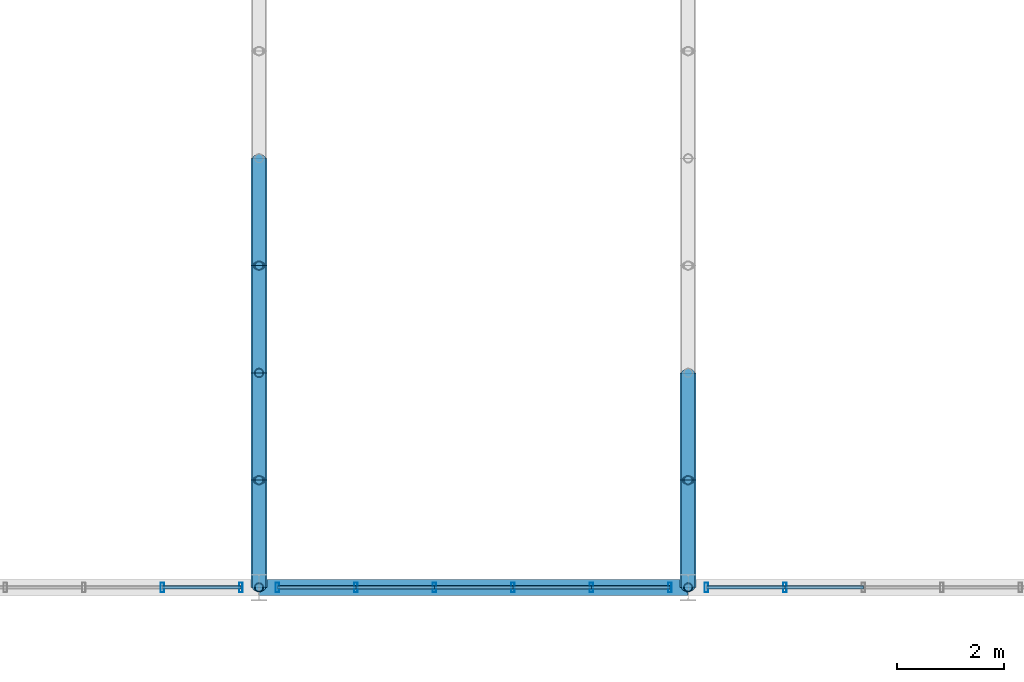
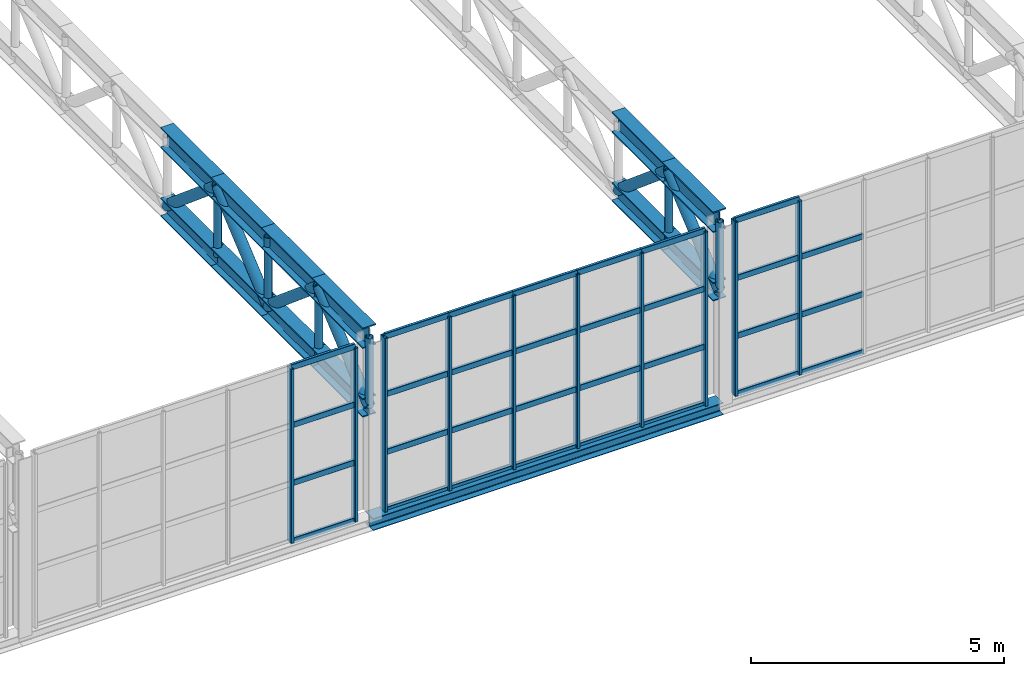
# One storey, part 40 of 143: 65 members, 1 beam, 3 elements without a shape of their own.
"""IFC4 building model written with IfcOpenShell, lengths in metres."""

from ifc_helpers import new_model, si_unit, derived_unit, direction, frame, origin, origin_2d, place, context, subcontext, project, spatial, hollow_rectangle, hollow_circle, i_section, extrude, material, material_profile, profile_set, type_object, element, aggregate, save


model = new_model("IFC4")

# Units and contexts
model_context = context("Model", 3, precision=1e-05, world=origin(), true_north=direction((0.0, 1.0)))
body_context = subcontext(model_context, "Body", "Model", "MODEL_VIEW")
ifc_project = project(units=[si_unit("LENGTHUNIT", "METRE"), si_unit("AREAUNIT", "SQUARE_METRE"), si_unit("VOLUMEUNIT", "CUBIC_METRE"), si_unit("PLANEANGLEUNIT", "RADIAN"), si_unit("MASSUNIT", "GRAM", prefix="KILO"), derived_unit("THERMALTRANSMITTANCEUNIT", [(si_unit("POWERUNIT", "WATT"), 1), (si_unit("LENGTHUNIT", "METRE"), -2), (si_unit("THERMODYNAMICTEMPERATUREUNIT", "KELVIN"), -1)])], contexts=[model_context])

# Site, building, storey
site_placement = place(None, origin())
site = spatial("IfcSite", under=ifc_project, at=site_placement, CompositionType="ELEMENT")
building_placement = place(site_placement, origin())
building = spatial("IfcBuilding", under=site, at=building_placement, Name="Keldorne Ridge Multi-Sports Centre", CompositionType="ELEMENT")
storey_placement = place(building_placement, frame((0.0, 0.0, 4.800048828125)))
storey = spatial("IfcBuildingStorey", under=building, at=storey_placement, Name="L01", CompositionType="ELEMENT", Elevation=4.800048828125)

# Beam
ifc_material_1 = material(Name="Steel S355", Category="steel")
ifc_material_profile_1 = material_profile(ifc_material_1, i_section(OverallWidth=0.300048828125, OverallDepth=0.2900390625, WebThickness=0.008544921875, FlangeThickness=0.013916015625, FilletRadius=0.027099609375, at=origin_2d()), Name="HEA 300")
ifc_profile_set_1 = profile_set([ifc_material_profile_1], Name="Steel S355")
beam_type = type_object("IfcBeamType", Name="BM-SP-04", PredefinedType="SPANDREL", material=ifc_profile_set_1)
beam_placement = place(storey_placement, frame((120.0, 6.0, -0.150146484375), z_axis=(1.0, 0.0, 0.0), x_axis=(0.0, 1.0, 0.0)))
element("IfcBeam", 1, at=beam_placement, inside=storey, type_object=beam_type, Name="Stacked Courts spandrel L01.6.3", PredefinedType="SPANDREL", context=body_context, shape_type="SweptSolid", body=[
    extrude(i_section(OverallWidth=0.300048828125, OverallDepth=0.2900390625, WebThickness=0.008544921875, FlangeThickness=0.013916015625, FilletRadius=0.027099609375, at=origin_2d()), origin(), (0.0, 0.0, 1.0), 8.0),
])

# Curtain wall, members
ifc_material_2 = material(Name="Anodized aluminium", Category="aluminium")
curtain_wall_type_1 = type_object("IfcCurtainWallType", Name="CW-CW-06", PredefinedType="NOTDEFINED", material=ifc_material_2)
curtain_wall_1_placement = place(storey_placement, origin())
curtain_wall_1 = element("IfcCurtainWall", 2, at=curtain_wall_1_placement, inside=storey, type_object=curtain_wall_type_1, Name="Lower Courts high clerestory 094", PredefinedType="NOTDEFINED")
ifc_material_profile_2 = material_profile(ifc_material_2, hollow_rectangle(XDim=0.06494140625, YDim=0.179931640625, WallThickness=0.00439453125, InnerFilletRadius=0.00439453125, OuterFilletRadius=0.009033203125, at=origin_2d()), Name="ALU MULLION 180x65x4.5")
ifc_profile_set_2 = profile_set([ifc_material_profile_2], Name="Anodized aluminium")
member_type_1 = type_object("IfcMemberType", Name="MEM-ML-01", PredefinedType="MULLION", material=ifc_profile_set_2)
member_1_placement = place(storey_placement, frame((118.196044921875, 6.0, 0.0), z_axis=(0.0, 0.0, 1.0), x_axis=(1.0, 0.0, 0.0)))
member_1 = element("IfcMember", 3, at=member_1_placement, type_object=member_type_1, Name="CW-094 vertical mullion 5", PredefinedType="MULLION", context=body_context, shape_type="SweptSolid", body=[
    extrude(hollow_rectangle(XDim=0.06494140625, YDim=0.179931640625, WallThickness=0.00439453125, InnerFilletRadius=0.00439453125, OuterFilletRadius=0.009033203125, at=origin_2d()), origin(), (0.0, 0.0, 1.0), 4.199951171875),
])
member_2_placement = place(storey_placement, frame((119.659912109375, 6.0, 0.0), z_axis=(0.0, 0.0, 1.0), x_axis=(1.0, 0.0, 0.0)))
member_2 = element("IfcMember", 4, at=member_2_placement, type_object=member_type_1, Name="CW-094 vertical mullion 6", PredefinedType="MULLION", context=body_context, shape_type="SweptSolid", body=[
    extrude(hollow_rectangle(XDim=0.06494140625, YDim=0.179931640625, WallThickness=0.00439453125, InnerFilletRadius=0.00439453125, OuterFilletRadius=0.009033203125, at=origin_2d()), origin(), (0.0, 0.0, 1.0), 4.199951171875),
])

curtain_wall_type_2 = type_object("IfcCurtainWallType", Name="CW-CW-04", PredefinedType="NOTDEFINED", material=ifc_material_2)
curtain_wall_2_placement = place(storey_placement, origin())
curtain_wall_2 = element("IfcCurtainWall", 5, at=curtain_wall_2_placement, inside=storey, type_object=curtain_wall_type_2, Name="Lower Courts high clerestory 100", PredefinedType="NOTDEFINED")
member_3_placement = place(storey_placement, frame((120.340087890625, 6.0, 0.0), z_axis=(0.0, 0.0, 1.0), x_axis=(1.0, 0.0, 0.0)))
member_3 = element("IfcMember", 6, at=member_3_placement, type_object=member_type_1, Name="CW-100 vertical mullion 1", PredefinedType="MULLION", context=body_context, shape_type="SweptSolid", body=[
    extrude(hollow_rectangle(XDim=0.06494140625, YDim=0.179931640625, WallThickness=0.00439453125, InnerFilletRadius=0.00439453125, OuterFilletRadius=0.009033203125, at=origin_2d()), origin(), (0.0, 0.0, 1.0), 4.199951171875),
])
member_4_placement = place(storey_placement, frame((121.803955078125, 6.0, 0.0), z_axis=(0.0, 0.0, 1.0), x_axis=(1.0, 0.0, 0.0)))
member_4 = element("IfcMember", 7, at=member_4_placement, type_object=member_type_1, Name="CW-100 vertical mullion 2", PredefinedType="MULLION", context=body_context, shape_type="SweptSolid", body=[
    extrude(hollow_rectangle(XDim=0.06494140625, YDim=0.179931640625, WallThickness=0.00439453125, InnerFilletRadius=0.00439453125, OuterFilletRadius=0.009033203125, at=origin_2d()), origin(), (0.0, 0.0, 1.0), 4.199951171875),
])
member_5_placement = place(storey_placement, frame((123.26806640625, 6.0, 0.0), z_axis=(0.0, 0.0, 1.0), x_axis=(1.0, 0.0, 0.0)))
member_5 = element("IfcMember", 8, at=member_5_placement, type_object=member_type_1, Name="CW-100 vertical mullion 3", PredefinedType="MULLION", context=body_context, shape_type="SweptSolid", body=[
    extrude(hollow_rectangle(XDim=0.06494140625, YDim=0.179931640625, WallThickness=0.00439453125, InnerFilletRadius=0.00439453125, OuterFilletRadius=0.009033203125, at=origin_2d()), origin(), (0.0, 0.0, 1.0), 4.199951171875),
])
member_6_placement = place(storey_placement, frame((124.73193359375, 6.0, 0.0), z_axis=(0.0, 0.0, 1.0), x_axis=(1.0, 0.0, 0.0)))
member_6 = element("IfcMember", 9, at=member_6_placement, type_object=member_type_1, Name="CW-100 vertical mullion 4", PredefinedType="MULLION", context=body_context, shape_type="SweptSolid", body=[
    extrude(hollow_rectangle(XDim=0.06494140625, YDim=0.179931640625, WallThickness=0.00439453125, InnerFilletRadius=0.00439453125, OuterFilletRadius=0.009033203125, at=origin_2d()), origin(), (0.0, 0.0, 1.0), 4.199951171875),
])
member_7_placement = place(storey_placement, frame((126.196044921875, 6.0, 0.0), z_axis=(0.0, 0.0, 1.0), x_axis=(1.0, 0.0, 0.0)))
member_7 = element("IfcMember", 10, at=member_7_placement, type_object=member_type_1, Name="CW-100 vertical mullion 5", PredefinedType="MULLION", context=body_context, shape_type="SweptSolid", body=[
    extrude(hollow_rectangle(XDim=0.06494140625, YDim=0.179931640625, WallThickness=0.00439453125, InnerFilletRadius=0.00439453125, OuterFilletRadius=0.009033203125, at=origin_2d()), origin(), (0.0, 0.0, 1.0), 4.199951171875),
])
member_8_placement = place(storey_placement, frame((127.659912109375, 6.0, 0.0), z_axis=(0.0, 0.0, 1.0), x_axis=(1.0, 0.0, 0.0)))
member_8 = element("IfcMember", 11, at=member_8_placement, type_object=member_type_1, Name="CW-100 vertical mullion 6", PredefinedType="MULLION", context=body_context, shape_type="SweptSolid", body=[
    extrude(hollow_rectangle(XDim=0.06494140625, YDim=0.179931640625, WallThickness=0.00439453125, InnerFilletRadius=0.00439453125, OuterFilletRadius=0.009033203125, at=origin_2d()), origin(), (0.0, 0.0, 1.0), 4.199951171875),
])

curtain_wall_type_3 = type_object("IfcCurtainWallType", Name="CW-CW-02", PredefinedType="NOTDEFINED", material=ifc_material_2)
curtain_wall_3_placement = place(storey_placement, origin())
curtain_wall_3 = element("IfcCurtainWall", 12, at=curtain_wall_3_placement, inside=storey, type_object=curtain_wall_type_3, Name="Lower Courts high clerestory 106", PredefinedType="NOTDEFINED")
member_9_placement = place(storey_placement, frame((128.340087890625, 6.0, 0.0), z_axis=(0.0, 0.0, 1.0), x_axis=(1.0, 0.0, 0.0)))
member_9 = element("IfcMember", 13, at=member_9_placement, type_object=member_type_1, Name="CW-106 vertical mullion 1", PredefinedType="MULLION", context=body_context, shape_type="SweptSolid", body=[
    extrude(hollow_rectangle(XDim=0.06494140625, YDim=0.179931640625, WallThickness=0.00439453125, InnerFilletRadius=0.00439453125, OuterFilletRadius=0.009033203125, at=origin_2d()), origin(), (0.0, 0.0, 1.0), 4.199951171875),
])
member_10_placement = place(storey_placement, frame((129.803955078125, 6.0, 0.0), z_axis=(0.0, 0.0, 1.0), x_axis=(1.0, 0.0, 0.0)))
member_10 = element("IfcMember", 14, at=member_10_placement, type_object=member_type_1, Name="CW-106 vertical mullion 2", PredefinedType="MULLION", context=body_context, shape_type="SweptSolid", body=[
    extrude(hollow_rectangle(XDim=0.06494140625, YDim=0.179931640625, WallThickness=0.00439453125, InnerFilletRadius=0.00439453125, OuterFilletRadius=0.009033203125, at=origin_2d()), origin(), (0.0, 0.0, 1.0), 4.199951171875),
])

# Members
ifc_material_profile_3 = material_profile(ifc_material_1, i_section(OverallWidth=0.300048828125, OverallDepth=0.5, WebThickness=0.014404296875, FlangeThickness=0.028076171875, FilletRadius=0.027099609375, at=origin_2d()), Name="HEB 500")
ifc_profile_set_3 = profile_set([ifc_material_profile_3], Name="Steel S355")
member_type_2 = type_object("IfcMemberType", Name="MEM-TC-03", PredefinedType="CHORD", material=ifc_profile_set_3)
for number, where, z_axis, x_axis, name in (
    (15, (120.0, 6.0, 4.31005859375), (0.0, 1.0, 0.0), (-1.0, 0.0, 0.0), "Stacked Courts Warren TRUSS WT-L02-03 top chord 1"),
    (16, (120.0, 8.0, 4.31005859375), (0.0, 1.0, 0.0), (-1.0, 0.0, 0.0), "Stacked Courts Warren TRUSS WT-L02-03 top chord 2"),
    (17, (120.0, 10.0, 4.31005859375), (0.0, 1.0, 0.0), (-1.0, 0.0, 0.0), "Stacked Courts Warren TRUSS WT-L02-03 top chord 3"),
    (18, (120.0, 12.0, 4.31005859375), (0.0, 1.0, 0.0), (-1.0, 0.0, 0.0), "Stacked Courts Warren TRUSS WT-L02-03 top chord 4"),
    (19, (128.0, 6.0, 4.31005859375), (0.0, 1.0, 0.0), (-1.0, 0.0, 0.0), "Stacked Courts Warren TRUSS WT-L02-04 top chord 1"),
    (20, (128.0, 8.0, 4.31005859375), (0.0, 1.0, 0.0), (-1.0, 0.0, 0.0), "Stacked Courts Warren TRUSS WT-L02-04 top chord 2"),
):
    element("IfcMember", number, at=place(storey_placement, frame(where, z_axis=z_axis, x_axis=x_axis)), inside=storey, type_object=member_type_2, Name=name, PredefinedType="CHORD", context=body_context, shape_type="SweptSolid", body=[
        extrude(i_section(OverallWidth=0.300048828125, OverallDepth=0.5, WebThickness=0.014404296875, FlangeThickness=0.028076171875, FilletRadius=0.027099609375, at=origin_2d()), origin(), (0.0, 0.0, 1.0), 2.0),
    ])
ifc_material_profile_4 = material_profile(ifc_material_1, i_section(OverallWidth=0.300048828125, OverallDepth=0.449951171875, WebThickness=0.013916015625, FlangeThickness=0.02587890625, FilletRadius=0.027099609375, at=origin_2d()), Name="HEB 450")
ifc_profile_set_4 = profile_set([ifc_material_profile_4], Name="Steel S355")
member_type_3 = type_object("IfcMemberType", Name="MEM-TC-04", PredefinedType="CHORD", material=ifc_profile_set_4)
for number, where, z_axis, x_axis, name in (
    (21, (120.0, 6.0, 2.6298828125), (0.0, 1.0, 0.0), (-1.0, 0.0, 0.0), "Stacked Courts Warren TRUSS WT-L02-03 bottom chord 1"),
    (22, (120.0, 8.0, 2.6298828125), (0.0, 1.0, 0.0), (-1.0, 0.0, 0.0), "Stacked Courts Warren TRUSS WT-L02-03 bottom chord 2"),
    (23, (120.0, 10.0, 2.6298828125), (0.0, 1.0, 0.0), (-1.0, 0.0, 0.0), "Stacked Courts Warren TRUSS WT-L02-03 bottom chord 3"),
    (24, (120.0, 12.0, 2.6298828125), (0.0, 1.0, 0.0), (-1.0, 0.0, 0.0), "Stacked Courts Warren TRUSS WT-L02-03 bottom chord 4"),
    (25, (128.0, 6.0, 2.6298828125), (0.0, 1.0, 0.0), (-1.0, 0.0, 0.0), "Stacked Courts Warren TRUSS WT-L02-04 bottom chord 1"),
    (26, (128.0, 8.0, 2.6298828125), (0.0, 1.0, 0.0), (-1.0, 0.0, 0.0), "Stacked Courts Warren TRUSS WT-L02-04 bottom chord 2"),
):
    element("IfcMember", number, at=place(storey_placement, frame(where, z_axis=z_axis, x_axis=x_axis)), inside=storey, type_object=member_type_3, Name=name, PredefinedType="CHORD", context=body_context, shape_type="SweptSolid", body=[
        extrude(i_section(OverallWidth=0.300048828125, OverallDepth=0.449951171875, WebThickness=0.013916015625, FlangeThickness=0.02587890625, FilletRadius=0.027099609375, at=origin_2d()), origin(), (0.0, 0.0, 1.0), 2.0),
    ])
ifc_material_profile_5 = material_profile(ifc_material_1, hollow_circle(Radius=0.122314453125, WallThickness=0.012451171875, at=origin_2d()), Name="CHS 244.5x12.5")
ifc_profile_set_5 = profile_set([ifc_material_profile_5], Name="Steel S355")
member_type_4 = type_object("IfcMemberType", Name="MEM-TD-02", PredefinedType="BRACE", material=ifc_profile_set_5)
for number, where, z_axis, x_axis, name in (
    (27, (120.0, 6.0, 2.6298828125), (0.0, 0.765671721121, 0.643231541108), (-1.0, 0.0, 0.0), "Stacked Courts Warren TRUSS WT-L02-03 diagonal 1"),
    (28, (120.0, 8.0, 4.31005859375), (0.0, 0.765671721121, -0.643231541108), (-1.0, 0.0, 0.0), "Stacked Courts Warren TRUSS WT-L02-03 diagonal 2"),
    (29, (120.0, 10.0, 2.6298828125), (0.0, 0.765671721121, 0.643231541108), (-1.0, 0.0, 0.0), "Stacked Courts Warren TRUSS WT-L02-03 diagonal 3"),
    (30, (120.0, 12.0, 4.31005859375), (0.0, 0.765671721121, -0.643231541108), (-1.0, 0.0, 0.0), "Stacked Courts Warren TRUSS WT-L02-03 diagonal 4"),
    (31, (128.0, 6.0, 2.6298828125), (0.0, 0.765671721121, 0.643231541108), (-1.0, 0.0, 0.0), "Stacked Courts Warren TRUSS WT-L02-04 diagonal 1"),
    (32, (128.0, 8.0, 4.31005859375), (0.0, 0.765671721121, -0.643231541108), (-1.0, 0.0, 0.0), "Stacked Courts Warren TRUSS WT-L02-04 diagonal 2"),
):
    element("IfcMember", number, at=place(storey_placement, frame(where, z_axis=z_axis, x_axis=x_axis)), inside=storey, type_object=member_type_4, Name=name, PredefinedType="BRACE", context=body_context, shape_type="SweptSolid", body=[
        extrude(hollow_circle(Radius=0.122314453125, WallThickness=0.012451171875, at=origin_2d()), origin(), (0.0, 0.0, 1.0), 2.612060546875),
    ])

# Member
ifc_material_profile_6 = material_profile(ifc_material_2, hollow_rectangle(XDim=0.06494140625, YDim=0.139892578125, WallThickness=0.00439453125, InnerFilletRadius=0.00439453125, OuterFilletRadius=0.009033203125, at=origin_2d()), Name="ALU TRANSOM 140x65x4.5")
ifc_profile_set_6 = profile_set([ifc_material_profile_6], Name="Anodized aluminium")
member_type_5 = type_object("IfcMemberType", Name="MEM-TR-01", PredefinedType="USERDEFINED", material=ifc_profile_set_6)
member_11_placement = place(storey_placement, frame((118.196044921875, 6.0, 0.0), z_axis=(1.0, 0.0, 0.0), x_axis=(0.0, 1.0, 0.0)))
member_11 = element("IfcMember", 33, at=member_11_placement, type_object=member_type_5, Name="CW-094 transom 5.1", ObjectType="TRANSOM", PredefinedType="USERDEFINED", context=body_context, shape_type="SweptSolid", body=[
    extrude(hollow_rectangle(XDim=0.06494140625, YDim=0.139892578125, WallThickness=0.00439453125, InnerFilletRadius=0.00439453125, OuterFilletRadius=0.009033203125, at=origin_2d()), origin(), (0.0, 0.0, 1.0), 1.4638671875),
])

member_12_placement = place(storey_placement, frame((118.196044921875, 6.0, 1.39990234375), z_axis=(1.0, 0.0, 0.0), x_axis=(0.0, 1.0, 0.0)))
member_12 = element("IfcMember", 34, at=member_12_placement, type_object=member_type_5, Name="CW-094 transom 5.2", ObjectType="TRANSOM", PredefinedType="USERDEFINED", context=body_context, shape_type="SweptSolid", body=[
    extrude(hollow_rectangle(XDim=0.06494140625, YDim=0.139892578125, WallThickness=0.00439453125, InnerFilletRadius=0.00439453125, OuterFilletRadius=0.009033203125, at=origin_2d()), origin(), (0.0, 0.0, 1.0), 1.4638671875),
])

member_13_placement = place(storey_placement, frame((118.196044921875, 6.0, 2.800048828125), z_axis=(1.0, 0.0, 0.0), x_axis=(0.0, 1.0, 0.0)))
member_13 = element("IfcMember", 35, at=member_13_placement, type_object=member_type_5, Name="CW-094 transom 5.3", ObjectType="TRANSOM", PredefinedType="USERDEFINED", context=body_context, shape_type="SweptSolid", body=[
    extrude(hollow_rectangle(XDim=0.06494140625, YDim=0.139892578125, WallThickness=0.00439453125, InnerFilletRadius=0.00439453125, OuterFilletRadius=0.009033203125, at=origin_2d()), origin(), (0.0, 0.0, 1.0), 1.4638671875),
])

member_14_placement = place(storey_placement, frame((118.196044921875, 6.0, 4.199951171875), z_axis=(1.0, 0.0, 0.0), x_axis=(0.0, 1.0, 0.0)))
member_14 = element("IfcMember", 36, at=member_14_placement, type_object=member_type_5, Name="CW-094 transom 5.4", ObjectType="TRANSOM", PredefinedType="USERDEFINED", context=body_context, shape_type="SweptSolid", body=[
    extrude(hollow_rectangle(XDim=0.06494140625, YDim=0.139892578125, WallThickness=0.00439453125, InnerFilletRadius=0.00439453125, OuterFilletRadius=0.009033203125, at=origin_2d()), origin(), (0.0, 0.0, 1.0), 1.4638671875),
])

aggregate(curtain_wall_1, [member_1, member_2, member_11, member_12, member_13, member_14])

member_15_placement = place(storey_placement, frame((120.340087890625, 6.0, 0.0), z_axis=(1.0, 0.0, 0.0), x_axis=(0.0, 1.0, 0.0)))
member_15 = element("IfcMember", 37, at=member_15_placement, type_object=member_type_5, Name="CW-100 transom 1.1", ObjectType="TRANSOM", PredefinedType="USERDEFINED", context=body_context, shape_type="SweptSolid", body=[
    extrude(hollow_rectangle(XDim=0.06494140625, YDim=0.139892578125, WallThickness=0.00439453125, InnerFilletRadius=0.00439453125, OuterFilletRadius=0.009033203125, at=origin_2d()), origin(), (0.0, 0.0, 1.0), 1.4638671875),
])

member_16_placement = place(storey_placement, frame((120.340087890625, 6.0, 1.39990234375), z_axis=(1.0, 0.0, 0.0), x_axis=(0.0, 1.0, 0.0)))
member_16 = element("IfcMember", 38, at=member_16_placement, type_object=member_type_5, Name="CW-100 transom 1.2", ObjectType="TRANSOM", PredefinedType="USERDEFINED", context=body_context, shape_type="SweptSolid", body=[
    extrude(hollow_rectangle(XDim=0.06494140625, YDim=0.139892578125, WallThickness=0.00439453125, InnerFilletRadius=0.00439453125, OuterFilletRadius=0.009033203125, at=origin_2d()), origin(), (0.0, 0.0, 1.0), 1.4638671875),
])

member_17_placement = place(storey_placement, frame((120.340087890625, 6.0, 2.800048828125), z_axis=(1.0, 0.0, 0.0), x_axis=(0.0, 1.0, 0.0)))
member_17 = element("IfcMember", 39, at=member_17_placement, type_object=member_type_5, Name="CW-100 transom 1.3", ObjectType="TRANSOM", PredefinedType="USERDEFINED", context=body_context, shape_type="SweptSolid", body=[
    extrude(hollow_rectangle(XDim=0.06494140625, YDim=0.139892578125, WallThickness=0.00439453125, InnerFilletRadius=0.00439453125, OuterFilletRadius=0.009033203125, at=origin_2d()), origin(), (0.0, 0.0, 1.0), 1.4638671875),
])

member_18_placement = place(storey_placement, frame((120.340087890625, 6.0, 4.199951171875), z_axis=(1.0, 0.0, 0.0), x_axis=(0.0, 1.0, 0.0)))
member_18 = element("IfcMember", 40, at=member_18_placement, type_object=member_type_5, Name="CW-100 transom 1.4", ObjectType="TRANSOM", PredefinedType="USERDEFINED", context=body_context, shape_type="SweptSolid", body=[
    extrude(hollow_rectangle(XDim=0.06494140625, YDim=0.139892578125, WallThickness=0.00439453125, InnerFilletRadius=0.00439453125, OuterFilletRadius=0.009033203125, at=origin_2d()), origin(), (0.0, 0.0, 1.0), 1.4638671875),
])

member_19_placement = place(storey_placement, frame((121.803955078125, 6.0, 0.0), z_axis=(1.0, 0.0, 0.0), x_axis=(0.0, 1.0, 0.0)))
member_19 = element("IfcMember", 41, at=member_19_placement, type_object=member_type_5, Name="CW-100 transom 2.1", ObjectType="TRANSOM", PredefinedType="USERDEFINED", context=body_context, shape_type="SweptSolid", body=[
    extrude(hollow_rectangle(XDim=0.06494140625, YDim=0.139892578125, WallThickness=0.00439453125, InnerFilletRadius=0.00439453125, OuterFilletRadius=0.009033203125, at=origin_2d()), origin(), (0.0, 0.0, 1.0), 1.464111328125),
])

member_20_placement = place(storey_placement, frame((121.803955078125, 6.0, 1.39990234375), z_axis=(1.0, 0.0, 0.0), x_axis=(0.0, 1.0, 0.0)))
member_20 = element("IfcMember", 42, at=member_20_placement, type_object=member_type_5, Name="CW-100 transom 2.2", ObjectType="TRANSOM", PredefinedType="USERDEFINED", context=body_context, shape_type="SweptSolid", body=[
    extrude(hollow_rectangle(XDim=0.06494140625, YDim=0.139892578125, WallThickness=0.00439453125, InnerFilletRadius=0.00439453125, OuterFilletRadius=0.009033203125, at=origin_2d()), origin(), (0.0, 0.0, 1.0), 1.464111328125),
])

member_21_placement = place(storey_placement, frame((121.803955078125, 6.0, 2.800048828125), z_axis=(1.0, 0.0, 0.0), x_axis=(0.0, 1.0, 0.0)))
member_21 = element("IfcMember", 43, at=member_21_placement, type_object=member_type_5, Name="CW-100 transom 2.3", ObjectType="TRANSOM", PredefinedType="USERDEFINED", context=body_context, shape_type="SweptSolid", body=[
    extrude(hollow_rectangle(XDim=0.06494140625, YDim=0.139892578125, WallThickness=0.00439453125, InnerFilletRadius=0.00439453125, OuterFilletRadius=0.009033203125, at=origin_2d()), origin(), (0.0, 0.0, 1.0), 1.464111328125),
])

member_22_placement = place(storey_placement, frame((121.803955078125, 6.0, 4.199951171875), z_axis=(1.0, 0.0, 0.0), x_axis=(0.0, 1.0, 0.0)))
member_22 = element("IfcMember", 44, at=member_22_placement, type_object=member_type_5, Name="CW-100 transom 2.4", ObjectType="TRANSOM", PredefinedType="USERDEFINED", context=body_context, shape_type="SweptSolid", body=[
    extrude(hollow_rectangle(XDim=0.06494140625, YDim=0.139892578125, WallThickness=0.00439453125, InnerFilletRadius=0.00439453125, OuterFilletRadius=0.009033203125, at=origin_2d()), origin(), (0.0, 0.0, 1.0), 1.464111328125),
])

member_23_placement = place(storey_placement, frame((123.26806640625, 6.0, 0.0), z_axis=(1.0, 0.0, 0.0), x_axis=(0.0, 1.0, 0.0)))
member_23 = element("IfcMember", 45, at=member_23_placement, type_object=member_type_5, Name="CW-100 transom 3.1", ObjectType="TRANSOM", PredefinedType="USERDEFINED", context=body_context, shape_type="SweptSolid", body=[
    extrude(hollow_rectangle(XDim=0.06494140625, YDim=0.139892578125, WallThickness=0.00439453125, InnerFilletRadius=0.00439453125, OuterFilletRadius=0.009033203125, at=origin_2d()), origin(), (0.0, 0.0, 1.0), 1.4638671875),
])

member_24_placement = place(storey_placement, frame((123.26806640625, 6.0, 1.39990234375), z_axis=(1.0, 0.0, 0.0), x_axis=(0.0, 1.0, 0.0)))
member_24 = element("IfcMember", 46, at=member_24_placement, type_object=member_type_5, Name="CW-100 transom 3.2", ObjectType="TRANSOM", PredefinedType="USERDEFINED", context=body_context, shape_type="SweptSolid", body=[
    extrude(hollow_rectangle(XDim=0.06494140625, YDim=0.139892578125, WallThickness=0.00439453125, InnerFilletRadius=0.00439453125, OuterFilletRadius=0.009033203125, at=origin_2d()), origin(), (0.0, 0.0, 1.0), 1.4638671875),
])

member_25_placement = place(storey_placement, frame((123.26806640625, 6.0, 2.800048828125), z_axis=(1.0, 0.0, 0.0), x_axis=(0.0, 1.0, 0.0)))
member_25 = element("IfcMember", 47, at=member_25_placement, type_object=member_type_5, Name="CW-100 transom 3.3", ObjectType="TRANSOM", PredefinedType="USERDEFINED", context=body_context, shape_type="SweptSolid", body=[
    extrude(hollow_rectangle(XDim=0.06494140625, YDim=0.139892578125, WallThickness=0.00439453125, InnerFilletRadius=0.00439453125, OuterFilletRadius=0.009033203125, at=origin_2d()), origin(), (0.0, 0.0, 1.0), 1.4638671875),
])

member_26_placement = place(storey_placement, frame((123.26806640625, 6.0, 4.199951171875), z_axis=(1.0, 0.0, 0.0), x_axis=(0.0, 1.0, 0.0)))
member_26 = element("IfcMember", 48, at=member_26_placement, type_object=member_type_5, Name="CW-100 transom 3.4", ObjectType="TRANSOM", PredefinedType="USERDEFINED", context=body_context, shape_type="SweptSolid", body=[
    extrude(hollow_rectangle(XDim=0.06494140625, YDim=0.139892578125, WallThickness=0.00439453125, InnerFilletRadius=0.00439453125, OuterFilletRadius=0.009033203125, at=origin_2d()), origin(), (0.0, 0.0, 1.0), 1.4638671875),
])

member_27_placement = place(storey_placement, frame((124.73193359375, 6.0, 0.0), z_axis=(1.0, 0.0, 0.0), x_axis=(0.0, 1.0, 0.0)))
member_27 = element("IfcMember", 49, at=member_27_placement, type_object=member_type_5, Name="CW-100 transom 4.1", ObjectType="TRANSOM", PredefinedType="USERDEFINED", context=body_context, shape_type="SweptSolid", body=[
    extrude(hollow_rectangle(XDim=0.06494140625, YDim=0.139892578125, WallThickness=0.00439453125, InnerFilletRadius=0.00439453125, OuterFilletRadius=0.009033203125, at=origin_2d()), origin(), (0.0, 0.0, 1.0), 1.464111328125),
])

member_28_placement = place(storey_placement, frame((124.73193359375, 6.0, 1.39990234375), z_axis=(1.0, 0.0, 0.0), x_axis=(0.0, 1.0, 0.0)))
member_28 = element("IfcMember", 50, at=member_28_placement, type_object=member_type_5, Name="CW-100 transom 4.2", ObjectType="TRANSOM", PredefinedType="USERDEFINED", context=body_context, shape_type="SweptSolid", body=[
    extrude(hollow_rectangle(XDim=0.06494140625, YDim=0.139892578125, WallThickness=0.00439453125, InnerFilletRadius=0.00439453125, OuterFilletRadius=0.009033203125, at=origin_2d()), origin(), (0.0, 0.0, 1.0), 1.464111328125),
])

member_29_placement = place(storey_placement, frame((124.73193359375, 6.0, 2.800048828125), z_axis=(1.0, 0.0, 0.0), x_axis=(0.0, 1.0, 0.0)))
member_29 = element("IfcMember", 51, at=member_29_placement, type_object=member_type_5, Name="CW-100 transom 4.3", ObjectType="TRANSOM", PredefinedType="USERDEFINED", context=body_context, shape_type="SweptSolid", body=[
    extrude(hollow_rectangle(XDim=0.06494140625, YDim=0.139892578125, WallThickness=0.00439453125, InnerFilletRadius=0.00439453125, OuterFilletRadius=0.009033203125, at=origin_2d()), origin(), (0.0, 0.0, 1.0), 1.464111328125),
])

member_30_placement = place(storey_placement, frame((124.73193359375, 6.0, 4.199951171875), z_axis=(1.0, 0.0, 0.0), x_axis=(0.0, 1.0, 0.0)))
member_30 = element("IfcMember", 52, at=member_30_placement, type_object=member_type_5, Name="CW-100 transom 4.4", ObjectType="TRANSOM", PredefinedType="USERDEFINED", context=body_context, shape_type="SweptSolid", body=[
    extrude(hollow_rectangle(XDim=0.06494140625, YDim=0.139892578125, WallThickness=0.00439453125, InnerFilletRadius=0.00439453125, OuterFilletRadius=0.009033203125, at=origin_2d()), origin(), (0.0, 0.0, 1.0), 1.464111328125),
])

member_31_placement = place(storey_placement, frame((126.196044921875, 6.0, 0.0), z_axis=(1.0, 0.0, 0.0), x_axis=(0.0, 1.0, 0.0)))
member_31 = element("IfcMember", 53, at=member_31_placement, type_object=member_type_5, Name="CW-100 transom 5.1", ObjectType="TRANSOM", PredefinedType="USERDEFINED", context=body_context, shape_type="SweptSolid", body=[
    extrude(hollow_rectangle(XDim=0.06494140625, YDim=0.139892578125, WallThickness=0.00439453125, InnerFilletRadius=0.00439453125, OuterFilletRadius=0.009033203125, at=origin_2d()), origin(), (0.0, 0.0, 1.0), 1.4638671875),
])

member_32_placement = place(storey_placement, frame((126.196044921875, 6.0, 1.39990234375), z_axis=(1.0, 0.0, 0.0), x_axis=(0.0, 1.0, 0.0)))
member_32 = element("IfcMember", 54, at=member_32_placement, type_object=member_type_5, Name="CW-100 transom 5.2", ObjectType="TRANSOM", PredefinedType="USERDEFINED", context=body_context, shape_type="SweptSolid", body=[
    extrude(hollow_rectangle(XDim=0.06494140625, YDim=0.139892578125, WallThickness=0.00439453125, InnerFilletRadius=0.00439453125, OuterFilletRadius=0.009033203125, at=origin_2d()), origin(), (0.0, 0.0, 1.0), 1.4638671875),
])

member_33_placement = place(storey_placement, frame((126.196044921875, 6.0, 2.800048828125), z_axis=(1.0, 0.0, 0.0), x_axis=(0.0, 1.0, 0.0)))
member_33 = element("IfcMember", 55, at=member_33_placement, type_object=member_type_5, Name="CW-100 transom 5.3", ObjectType="TRANSOM", PredefinedType="USERDEFINED", context=body_context, shape_type="SweptSolid", body=[
    extrude(hollow_rectangle(XDim=0.06494140625, YDim=0.139892578125, WallThickness=0.00439453125, InnerFilletRadius=0.00439453125, OuterFilletRadius=0.009033203125, at=origin_2d()), origin(), (0.0, 0.0, 1.0), 1.4638671875),
])

member_34_placement = place(storey_placement, frame((126.196044921875, 6.0, 4.199951171875), z_axis=(1.0, 0.0, 0.0), x_axis=(0.0, 1.0, 0.0)))
member_34 = element("IfcMember", 56, at=member_34_placement, type_object=member_type_5, Name="CW-100 transom 5.4", ObjectType="TRANSOM", PredefinedType="USERDEFINED", context=body_context, shape_type="SweptSolid", body=[
    extrude(hollow_rectangle(XDim=0.06494140625, YDim=0.139892578125, WallThickness=0.00439453125, InnerFilletRadius=0.00439453125, OuterFilletRadius=0.009033203125, at=origin_2d()), origin(), (0.0, 0.0, 1.0), 1.4638671875),
])

aggregate(curtain_wall_2, [member_3, member_4, member_5, member_6, member_7, member_8, member_15, member_16, member_17, member_18, member_19, member_20, member_21, member_22, member_23, member_24, member_25, member_26, member_27, member_28, member_29, member_30, member_31, member_32, member_33, member_34])

member_35_placement = place(storey_placement, frame((128.340087890625, 6.0, 0.0), z_axis=(1.0, 0.0, 0.0), x_axis=(0.0, 1.0, 0.0)))
member_35 = element("IfcMember", 57, at=member_35_placement, type_object=member_type_5, Name="CW-106 transom 1.1", ObjectType="TRANSOM", PredefinedType="USERDEFINED", context=body_context, shape_type="SweptSolid", body=[
    extrude(hollow_rectangle(XDim=0.06494140625, YDim=0.139892578125, WallThickness=0.00439453125, InnerFilletRadius=0.00439453125, OuterFilletRadius=0.009033203125, at=origin_2d()), origin(), (0.0, 0.0, 1.0), 1.4638671875),
])

member_36_placement = place(storey_placement, frame((128.340087890625, 6.0, 1.39990234375), z_axis=(1.0, 0.0, 0.0), x_axis=(0.0, 1.0, 0.0)))
member_36 = element("IfcMember", 58, at=member_36_placement, type_object=member_type_5, Name="CW-106 transom 1.2", ObjectType="TRANSOM", PredefinedType="USERDEFINED", context=body_context, shape_type="SweptSolid", body=[
    extrude(hollow_rectangle(XDim=0.06494140625, YDim=0.139892578125, WallThickness=0.00439453125, InnerFilletRadius=0.00439453125, OuterFilletRadius=0.009033203125, at=origin_2d()), origin(), (0.0, 0.0, 1.0), 1.4638671875),
])

member_37_placement = place(storey_placement, frame((128.340087890625, 6.0, 2.800048828125), z_axis=(1.0, 0.0, 0.0), x_axis=(0.0, 1.0, 0.0)))
member_37 = element("IfcMember", 59, at=member_37_placement, type_object=member_type_5, Name="CW-106 transom 1.3", ObjectType="TRANSOM", PredefinedType="USERDEFINED", context=body_context, shape_type="SweptSolid", body=[
    extrude(hollow_rectangle(XDim=0.06494140625, YDim=0.139892578125, WallThickness=0.00439453125, InnerFilletRadius=0.00439453125, OuterFilletRadius=0.009033203125, at=origin_2d()), origin(), (0.0, 0.0, 1.0), 1.4638671875),
])

member_38_placement = place(storey_placement, frame((128.340087890625, 6.0, 4.199951171875), z_axis=(1.0, 0.0, 0.0), x_axis=(0.0, 1.0, 0.0)))
member_38 = element("IfcMember", 60, at=member_38_placement, type_object=member_type_5, Name="CW-106 transom 1.4", ObjectType="TRANSOM", PredefinedType="USERDEFINED", context=body_context, shape_type="SweptSolid", body=[
    extrude(hollow_rectangle(XDim=0.06494140625, YDim=0.139892578125, WallThickness=0.00439453125, InnerFilletRadius=0.00439453125, OuterFilletRadius=0.009033203125, at=origin_2d()), origin(), (0.0, 0.0, 1.0), 1.4638671875),
])

member_39_placement = place(storey_placement, frame((129.803955078125, 6.0, 0.0), z_axis=(1.0, 0.0, 0.0), x_axis=(0.0, 1.0, 0.0)))
member_39 = element("IfcMember", 61, at=member_39_placement, type_object=member_type_5, Name="CW-106 transom 2.1", ObjectType="TRANSOM", PredefinedType="USERDEFINED", context=body_context, shape_type="SweptSolid", body=[
    extrude(hollow_rectangle(XDim=0.06494140625, YDim=0.139892578125, WallThickness=0.00439453125, InnerFilletRadius=0.00439453125, OuterFilletRadius=0.009033203125, at=origin_2d()), origin(), (0.0, 0.0, 1.0), 1.464111328125),
])

member_40_placement = place(storey_placement, frame((129.803955078125, 6.0, 1.39990234375), z_axis=(1.0, 0.0, 0.0), x_axis=(0.0, 1.0, 0.0)))
member_40 = element("IfcMember", 62, at=member_40_placement, type_object=member_type_5, Name="CW-106 transom 2.2", ObjectType="TRANSOM", PredefinedType="USERDEFINED", context=body_context, shape_type="SweptSolid", body=[
    extrude(hollow_rectangle(XDim=0.06494140625, YDim=0.139892578125, WallThickness=0.00439453125, InnerFilletRadius=0.00439453125, OuterFilletRadius=0.009033203125, at=origin_2d()), origin(), (0.0, 0.0, 1.0), 1.464111328125),
])

member_41_placement = place(storey_placement, frame((129.803955078125, 6.0, 2.800048828125), z_axis=(1.0, 0.0, 0.0), x_axis=(0.0, 1.0, 0.0)))
member_41 = element("IfcMember", 63, at=member_41_placement, type_object=member_type_5, Name="CW-106 transom 2.3", ObjectType="TRANSOM", PredefinedType="USERDEFINED", context=body_context, shape_type="SweptSolid", body=[
    extrude(hollow_rectangle(XDim=0.06494140625, YDim=0.139892578125, WallThickness=0.00439453125, InnerFilletRadius=0.00439453125, OuterFilletRadius=0.009033203125, at=origin_2d()), origin(), (0.0, 0.0, 1.0), 1.464111328125),
])

aggregate(curtain_wall_3, [member_9, member_10, member_35, member_36, member_37, member_38, member_39, member_40, member_41])

# Members
ifc_material_profile_7 = material_profile(ifc_material_1, hollow_circle(Radius=0.084228515625, WallThickness=0.010009765625, at=origin_2d()), Name="CHS 168.3x10")
ifc_profile_set_7 = profile_set([ifc_material_profile_7], Name="Steel S355")
member_type_6 = type_object("IfcMemberType", Name="MEM-TV-01", PredefinedType="STRUT", material=ifc_profile_set_7)
for number, where, z_axis, x_axis, name in (
    (64, (120.0, 6.0, 2.6298828125), (0.0, 0.0, 1.0), (1.0, 0.0, 0.0), "Stacked Courts Warren TRUSS WT-L02-03 post 1"),
    (65, (120.0, 8.0, 2.6298828125), (0.0, 0.0, 1.0), (1.0, 0.0, 0.0), "Stacked Courts Warren TRUSS WT-L02-03 post 2"),
    (66, (120.0, 10.0, 2.6298828125), (0.0, 0.0, 1.0), (1.0, 0.0, 0.0), "Stacked Courts Warren TRUSS WT-L02-03 post 3"),
    (67, (120.0, 12.0, 2.6298828125), (0.0, 0.0, 1.0), (1.0, 0.0, 0.0), "Stacked Courts Warren TRUSS WT-L02-03 post 4"),
    (68, (128.0, 6.0, 2.6298828125), (0.0, 0.0, 1.0), (1.0, 0.0, 0.0), "Stacked Courts Warren TRUSS WT-L02-04 post 1"),
    (69, (128.0, 8.0, 2.6298828125), (0.0, 0.0, 1.0), (1.0, 0.0, 0.0), "Stacked Courts Warren TRUSS WT-L02-04 post 2"),
):
    element("IfcMember", number, at=place(storey_placement, frame(where, z_axis=z_axis, x_axis=x_axis)), inside=storey, type_object=member_type_6, Name=name, PredefinedType="STRUT", context=body_context, shape_type="SweptSolid", body=[
        extrude(hollow_circle(Radius=0.084228515625, WallThickness=0.010009765625, at=origin_2d()), origin(), (0.0, 0.0, 1.0), 1.68017578125),
    ])

save(model, "model.ifc")
